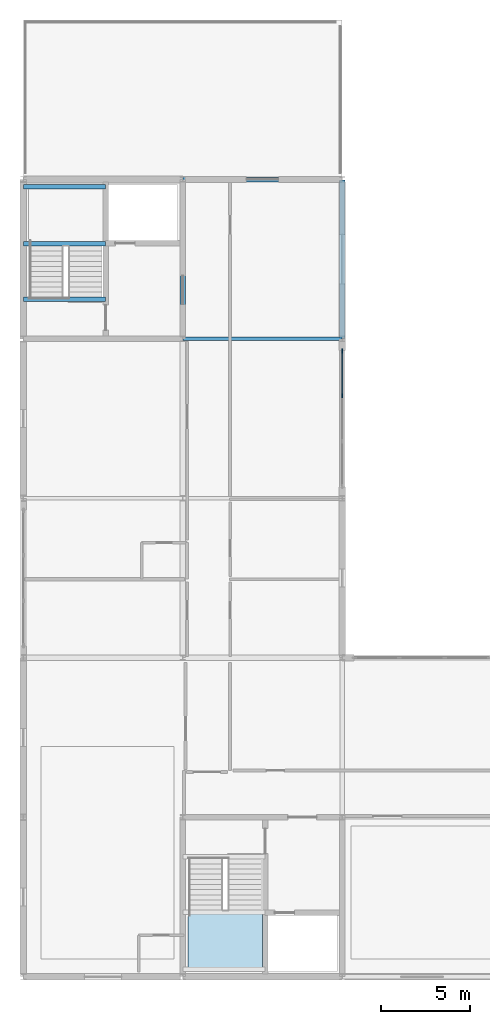
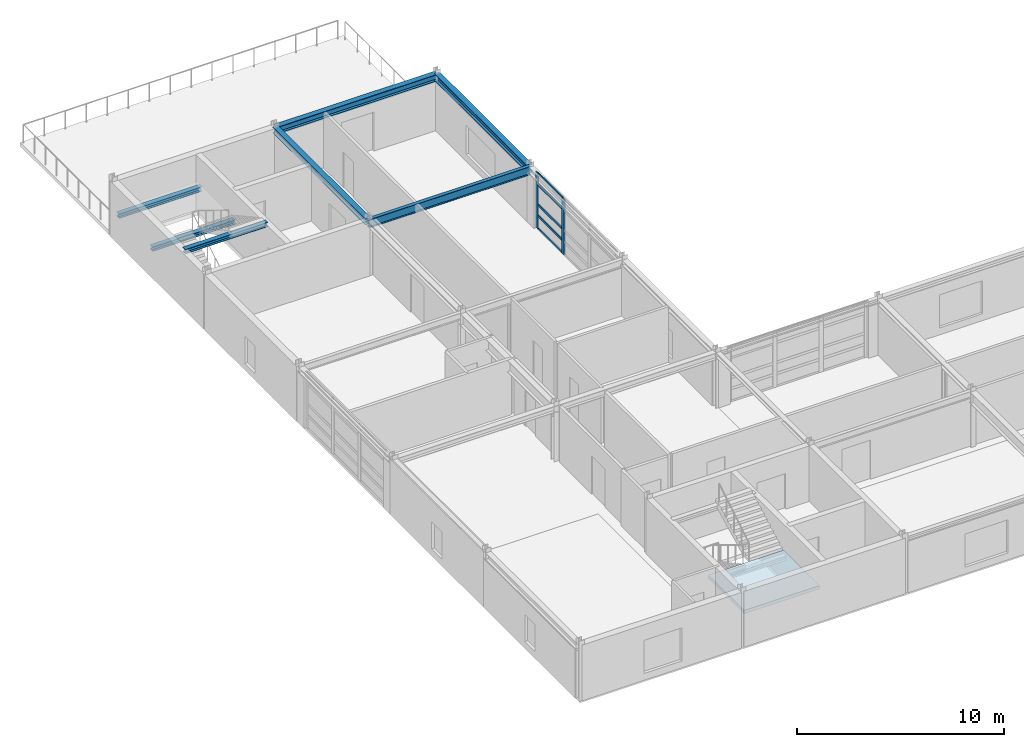
# One storey, part 6 of 11: 7 beams, 7 members, 1 slab, 1 element without a shape of its own.
"""IFC4 building model written with IfcOpenShell, lengths in metres."""

from ifc_helpers import new_model, si_unit, direction, frame, origin, origin_2d, place, context, subcontext, project, spatial, polyline, rectangle, i_section, outline, extrude, material, layer, layer_set, material_profile, profile_set, type_object, element, aggregate, save


model = new_model("IFC4")

# Units and contexts
model_context = context("Model", 3, precision=1e-05, world=origin(), true_north=direction((0.0, 1.0)))
body_context = subcontext(model_context, "Body", "Model", "MODEL_VIEW")
ifc_project = project(units=[si_unit("LENGTHUNIT", "METRE"), si_unit("AREAUNIT", "SQUARE_METRE"), si_unit("VOLUMEUNIT", "CUBIC_METRE"), si_unit("PLANEANGLEUNIT", "RADIAN"), si_unit("MASSUNIT", "GRAM", prefix="KILO")], contexts=[model_context])

# Site, building, storey
site_placement = place(None, origin())
site = spatial("IfcSite", under=ifc_project, at=site_placement, CompositionType="ELEMENT")
building_placement = place(site_placement, origin())
building = spatial("IfcBuilding", under=site, at=building_placement, Name="Palais des Congres Ocreval", CompositionType="ELEMENT")
storey_placement = place(building_placement, frame((0.0, 0.0, 26.8798828125)))
storey = spatial("IfcBuildingStorey", under=building, at=storey_placement, Name="L08", CompositionType="ELEMENT", Elevation=26.8798828125)

# Beam
ifc_material_1 = material(Name="Steel S355", Category="steel")
ifc_material_profile_1 = material_profile(ifc_material_1, i_section(OverallWidth=0.199951171875, OverallDepth=0.5, WebThickness=0.01025390625, FlangeThickness=0.01611328125, at=origin_2d()), Name="IPE 500")
ifc_profile_set_1 = profile_set([ifc_material_profile_1], Name="Steel S355")
beam_type_1 = type_object("IfcBeamType", Name="Composite Beam IPE 500 Steel S355", PredefinedType="BEAM", material=ifc_profile_set_1)
beam_1_placement = place(storey_placement, frame((9.02001953125, 36.0, 3.02001953125), z_axis=(1.0, 0.0, 0.0), x_axis=(0.0, 1.0, 0.0)))
element("IfcBeam", 1, at=beam_1_placement, inside=storey, type_object=beam_type_1, Name="Beam B04 L08", PredefinedType="BEAM", context=body_context, shape_type="SweptSolid", body=[
    extrude(i_section(OverallWidth=0.199951171875, OverallDepth=0.5, WebThickness=0.01025390625, FlangeThickness=0.01611328125, at=origin_2d()), origin(), (0.0, 0.0, 1.0), 8.9599609375),
])

# Curtain wall, members
ifc_material_2 = material(Name="Anodized bronze aluminium and low-E glass", Category="glass")
curtain_wall_type = type_object("IfcCurtainWallType", Name="Unitised Curtain Wall 7900x3280", PredefinedType="USERDEFINED", material=ifc_material_2)
curtain_wall_placement = place(storey_placement, origin())
curtain_wall = element("IfcCurtainWall", 2, at=curtain_wall_placement, inside=storey, type_object=curtain_wall_type, Name="Unitised Curtain Wall CW06 L08", ObjectType="UNITISED CURTAIN WALL", PredefinedType="USERDEFINED")
ifc_material_3 = material(Name="Anodized bronze aluminium", Category="aluminium")
ifc_material_profile_2 = material_profile(ifc_material_3, rectangle(XDim=0.074951171875, YDim=0.239990234375, at=origin_2d()), Name="ALU 75x240")
ifc_profile_set_2 = profile_set([ifc_material_profile_2], Name="Anodized bronze aluminium")
member_type_1 = type_object("IfcMemberType", Name="Curtain Wall Mullion ALU 75x240", PredefinedType="MULLION", material=ifc_profile_set_2)
member_1_placement = place(storey_placement, frame((18.0, 35.3125, 0.0), z_axis=(0.0, 0.0, 1.0), x_axis=(1.0, 0.0, 0.0)))
member_1 = element("IfcMember", 3, at=member_1_placement, type_object=member_type_1, Name="Curtain Wall Mullion ML01", PredefinedType="MULLION", context=body_context, shape_type="SweptSolid", body=[
    extrude(rectangle(XDim=0.074951171875, YDim=0.239990234375, at=origin_2d()), origin(), (0.0, 0.0, 1.0), 3.27001953125),
])
member_2_placement = place(storey_placement, frame((18.0, 32.783203125, 0.0), z_axis=(0.0, 0.0, 1.0), x_axis=(1.0, 0.0, 0.0)))
member_2 = element("IfcMember", 4, at=member_2_placement, type_object=member_type_1, Name="Curtain Wall Mullion ML01", PredefinedType="MULLION", context=body_context, shape_type="SweptSolid", body=[
    extrude(rectangle(XDim=0.074951171875, YDim=0.239990234375, at=origin_2d()), origin(), (0.0, 0.0, 1.0), 3.27001953125),
])
ifc_material_profile_3 = material_profile(ifc_material_3, rectangle(XDim=0.06005859375, YDim=0.14990234375, at=origin_2d()), Name="ALU 60x150")
ifc_profile_set_3 = profile_set([ifc_material_profile_3], Name="Anodized bronze aluminium")
member_type_2 = type_object("IfcMemberType", Name="Curtain Wall Transom ALU 60x150", PredefinedType="USERDEFINED", material=ifc_profile_set_3)
member_3_placement = place(storey_placement, frame((18.0, 35.27490234375, 0.030029296875), z_axis=(0.0, -1.0, 0.0), x_axis=(1.0, 0.0, 0.0)))
member_3 = element("IfcMember", 5, at=member_3_placement, type_object=member_type_2, Name="Curtain Wall Transom TR01", ObjectType="TRANSOM", PredefinedType="USERDEFINED", context=body_context, shape_type="SweptSolid", body=[
    extrude(rectangle(XDim=0.06005859375, YDim=0.14990234375, at=origin_2d()), origin(), (0.0, 0.0, 1.0), 2.4541015625),
])
member_4_placement = place(storey_placement, frame((18.0, 35.27490234375, 0.780029296875), z_axis=(0.0, -1.0, 0.0), x_axis=(1.0, 0.0, 0.0)))
member_4 = element("IfcMember", 6, at=member_4_placement, type_object=member_type_2, Name="Curtain Wall Transom TR01", ObjectType="TRANSOM", PredefinedType="USERDEFINED", context=body_context, shape_type="SweptSolid", body=[
    extrude(rectangle(XDim=0.06005859375, YDim=0.14990234375, at=origin_2d()), origin(), (0.0, 0.0, 1.0), 2.4541015625),
])
member_5_placement = place(storey_placement, frame((18.0, 35.27490234375, 1.441162109375), z_axis=(0.0, -1.0, 0.0), x_axis=(1.0, 0.0, 0.0)))
member_5 = element("IfcMember", 7, at=member_5_placement, type_object=member_type_2, Name="Curtain Wall Transom TR01", ObjectType="TRANSOM", PredefinedType="USERDEFINED", context=body_context, shape_type="SweptSolid", body=[
    extrude(rectangle(XDim=0.06005859375, YDim=0.14990234375, at=origin_2d()), origin(), (0.0, 0.0, 1.0), 2.4541015625),
])
member_6_placement = place(storey_placement, frame((18.0, 35.27490234375, 2.6201171875), z_axis=(0.0, -1.0, 0.0), x_axis=(1.0, 0.0, 0.0)))
member_6 = element("IfcMember", 8, at=member_6_placement, type_object=member_type_2, Name="Curtain Wall Transom TR01", ObjectType="TRANSOM", PredefinedType="USERDEFINED", context=body_context, shape_type="SweptSolid", body=[
    extrude(rectangle(XDim=0.06005859375, YDim=0.14990234375, at=origin_2d()), origin(), (0.0, 0.0, 1.0), 2.4541015625),
])
member_7_placement = place(storey_placement, frame((18.0, 35.27490234375, 3.240234375), z_axis=(0.0, -1.0, 0.0), x_axis=(1.0, 0.0, 0.0)))
member_7 = element("IfcMember", 9, at=member_7_placement, type_object=member_type_2, Name="Curtain Wall Transom TR01", ObjectType="TRANSOM", PredefinedType="USERDEFINED", context=body_context, shape_type="SweptSolid", body=[
    extrude(rectangle(XDim=0.06005859375, YDim=0.14990234375, at=origin_2d()), origin(), (0.0, 0.0, 1.0), 2.4541015625),
])
aggregate(curtain_wall, [member_1, member_2, member_3, member_4, member_5, member_6, member_7])

# Beams
ifc_material_profile_4 = material_profile(ifc_material_1, i_section(OverallWidth=0.260009765625, OverallDepth=0.260009765625, WebThickness=0.010009765625, FlangeThickness=0.017578125, at=origin_2d()), Name="HEB 260")
ifc_profile_set_4 = profile_set([ifc_material_profile_4], Name="Steel S355")
beam_type_2 = type_object("IfcBeamType", Name="Opening Lintel HEB 260 Steel S355", PredefinedType="LINTEL", material=ifc_profile_set_4)
for number, where, z_axis, x_axis, name in (
    (10, (0.02001953125, 41.3701171875, 1.43017578125), (1.0, 0.0, 0.0), (0.0, 1.0, 0.0), "Stair Landing Support Beam ST03 L08-1"),
    (11, (0.02001953125, 44.580078125, 1.43017578125), (1.0, 0.0, 0.0), (0.0, 1.0, 0.0), "Stair Landing Support Beam ST03 L08-2"),
    (12, (0.02001953125, 38.22998046875, 3.190185546875), (1.0, 0.0, 0.0), (0.0, 1.0, 0.0), "Roof Landing Support Beam ST03"),
):
    element("IfcBeam", number, at=place(storey_placement, frame(where, z_axis=z_axis, x_axis=x_axis)), inside=storey, type_object=beam_type_2, Name=name, PredefinedType="LINTEL", context=body_context, shape_type="SweptSolid", body=[
        extrude(i_section(OverallWidth=0.260009765625, OverallDepth=0.260009765625, WebThickness=0.010009765625, FlangeThickness=0.017578125, at=origin_2d()), origin(), (0.0, 0.0, 1.0), 4.60986328125),
    ])
ifc_material_profile_5 = material_profile(ifc_material_1, i_section(OverallWidth=0.300048828125, OverallDepth=0.39990234375, WebThickness=0.013427734375, FlangeThickness=0.02392578125, at=origin_2d()), Name="HEB 400")
ifc_profile_set_5 = profile_set([ifc_material_profile_5], Name="Steel S355")
beam_type_3 = type_object("IfcBeamType", Name="Perimeter Spandrel HEB 400 Steel S355", PredefinedType="SPANDREL", material=ifc_profile_set_5)
for number, where, z_axis, x_axis, name in (
    (13, (9.02001953125, 45.0, 3.070068359375), (1.0, 0.0, 0.0), (0.0, 1.0, 0.0), "Beam SP04 L08"),
    (14, (18.0, 36.02001953125, 3.070068359375), (0.0, 1.0, 0.0), (-1.0, 0.0, 0.0), "Girder SP04 L08"),
):
    element("IfcBeam", number, at=place(storey_placement, frame(where, z_axis=z_axis, x_axis=x_axis)), inside=storey, type_object=beam_type_3, Name=name, PredefinedType="SPANDREL", context=body_context, shape_type="SweptSolid", body=[
        extrude(i_section(OverallWidth=0.300048828125, OverallDepth=0.39990234375, WebThickness=0.013427734375, FlangeThickness=0.02392578125, at=origin_2d()), origin(), (0.0, 0.0, 1.0), 8.9599609375),
    ])
ifc_material_profile_6 = material_profile(ifc_material_1, i_section(OverallWidth=0.300048828125, OverallDepth=0.330078125, WebThickness=0.009521484375, FlangeThickness=0.0166015625, at=origin_2d()), Name="HEA 340")
ifc_profile_set_6 = profile_set([ifc_material_profile_6], Name="Steel S355")
beam_type_4 = type_object("IfcBeamType", Name="Primary Beam HEA 340 Steel S355", PredefinedType="BEAM", material=ifc_profile_set_6)
beam_2_placement = place(storey_placement, frame((9.0, 36.02001953125, 3.105224609375), z_axis=(0.0, 1.0, 0.0), x_axis=(-1.0, 0.0, 0.0)))
element("IfcBeam", 15, at=beam_2_placement, inside=storey, type_object=beam_type_4, Name="Girder B09 L08", PredefinedType="BEAM", context=body_context, shape_type="SweptSolid", body=[
    extrude(i_section(OverallWidth=0.300048828125, OverallDepth=0.330078125, WebThickness=0.009521484375, FlangeThickness=0.0166015625, at=origin_2d()), origin(), (0.0, 0.0, 1.0), 8.9599609375),
])

# Slab
ifc_material_4 = material(Name="Concrete C40/50", Category="concrete")
ifc_layer = layer(ifc_material_4, 0.199951171875)
ifc_layer_set = layer_set([ifc_layer], Name="Stair and Ramp Landing Slab 200 Concrete C40/50")
slab_type = type_object("IfcSlabType", Name="Stair and Ramp Landing Slab 200 Concrete C40/50", PredefinedType="LANDING", material=ifc_layer_set)
slab_placement = place(storey_placement, frame((0.0, 0.0, 1.56005859375)))
element("IfcSlab", 16, at=slab_placement, inside=storey, type_object=slab_type, Name="Stair Half-Landing ST01 L08", PredefinedType="LANDING", context=body_context, shape_type="SweptSolid", body=[
    extrude(outline(polyline([(9.300048828125, 0.300048828125), (13.5, 0.300048828125), (13.5, 3.75), (9.300048828125, 3.75), (9.300048828125, 0.300048828125)])), origin(), (0.0, 0.0, 1.0), 0.199951171875),
])

save(model, "model.ifc")
